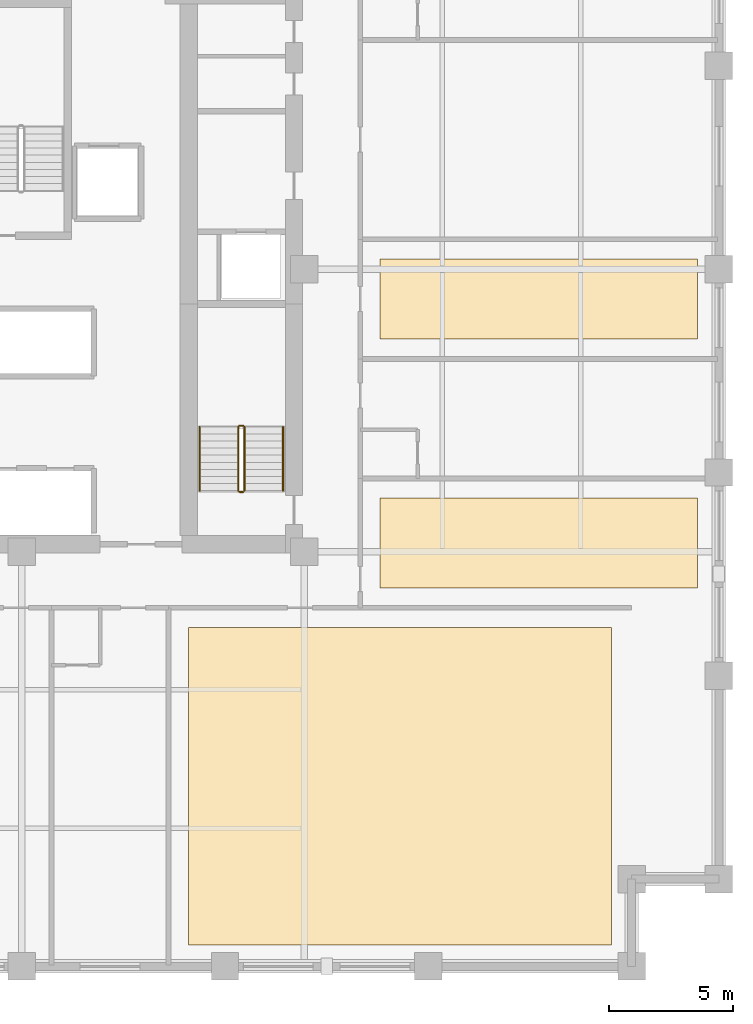
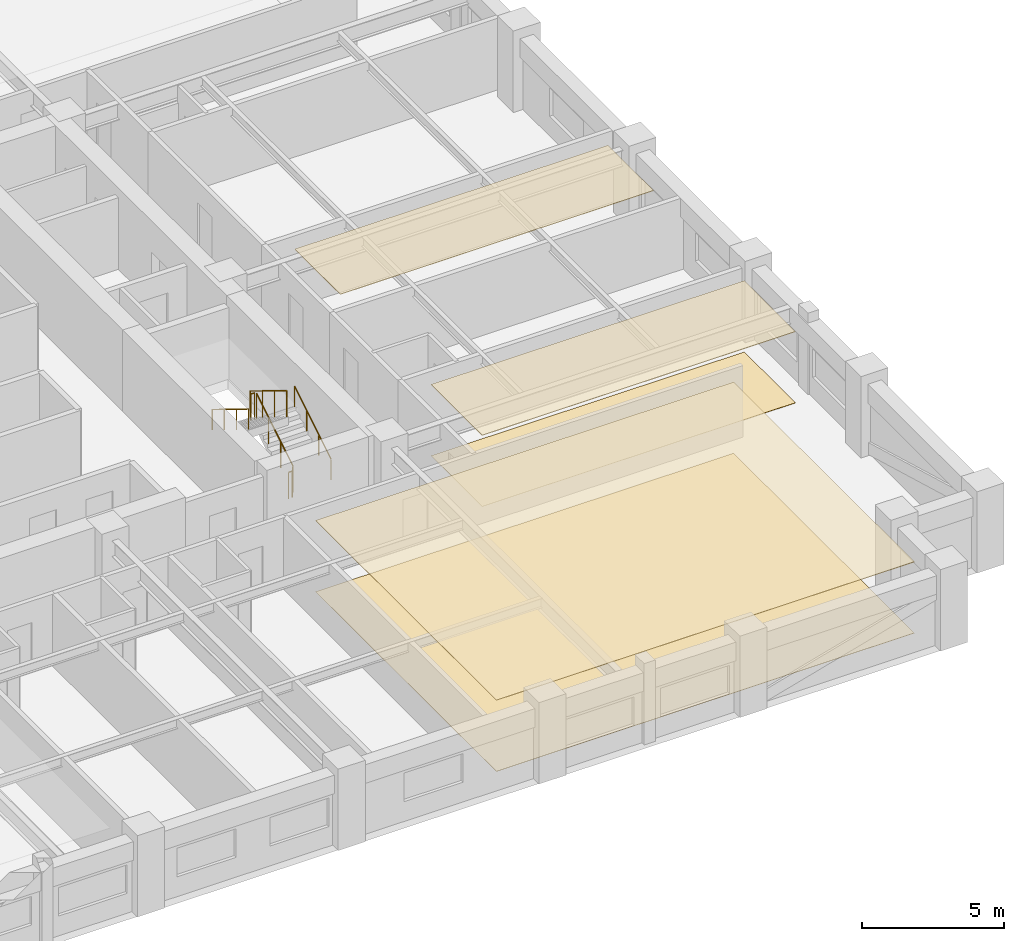
# One storey, part 10 of 12: 6 railings, 5 coverings.
"""IFC4 building model written with IfcOpenShell, lengths in metres."""

from ifc_helpers import new_model, si_unit, direction, frame, origin, origin_2d, place, context, subcontext, project, spatial, polyline, circle, outline, extrude, material, layer, layer_set, type_object, element, save


model = new_model("IFC4")

# Units and contexts
model_context = context("Model", 3, precision=1e-05, world=origin(), true_north=direction((0.0, 1.0)))
body_context = subcontext(model_context, "Body", "Model", "MODEL_VIEW")
ifc_project = project(units=[si_unit("LENGTHUNIT", "METRE"), si_unit("AREAUNIT", "SQUARE_METRE"), si_unit("VOLUMEUNIT", "CUBIC_METRE"), si_unit("PLANEANGLEUNIT", "RADIAN"), si_unit("MASSUNIT", "GRAM", prefix="KILO")], contexts=[model_context])

# Site, building, storey
site_placement = place(None, origin())
site = spatial("IfcSite", under=ifc_project, at=site_placement, CompositionType="ELEMENT")
building_placement = place(site_placement, origin())
building = spatial("IfcBuilding", under=site, at=building_placement, Name="Nhamokura Convention Tower", CompositionType="ELEMENT")
storey_placement = place(building_placement, frame((0.0, 0.0, 38.85009765625)))
storey = spatial("IfcBuildingStorey", under=building, at=storey_placement, Name="L07", CompositionType="ELEMENT", Elevation=38.85009765625)

# Coverings
ifc_material_1 = material(Name="Mineral-fibre acoustic ceiling tile", Category="gypsum")
ifc_layer_1 = layer(ifc_material_1, 0.02490234375)
ifc_layer_set_1 = layer_set([ifc_layer_1], Name="AcousticTileCeiling_25")
covering_type_1 = type_object("IfcCoveringType", Name="AcousticTileCeiling_25", PredefinedType="CEILING", material=ifc_layer_set_1)
covering_1_placement = place(storey_placement, frame((0.0, 0.0, 3.054931640625)))
element("IfcCovering", 1, at=covering_1_placement, inside=storey, type_object=covering_type_1, Name="L07 Suspended Ceiling 02", PredefinedType="CEILING", context=body_context, shape_type="SweptSolid", body=[
    extrude(outline(polyline([(38.699951171875, 4.860107421875), (55.699951171875, 4.860107421875), (55.699951171875, 17.60009765625), (38.699951171875, 17.60009765625), (38.699951171875, 4.860107421875)])), origin(), (0.0, 0.0, 1.0), 0.02490234375),
])
covering_2_placement = place(storey_placement, frame((0.0, 0.0, 3.054931640625)))
element("IfcCovering", 2, at=covering_2_placement, inside=storey, type_object=covering_type_1, Name="L07 Suspended Ceiling 05", PredefinedType="CEILING", context=body_context, shape_type="SweptSolid", body=[
    extrude(outline(polyline([(46.39990234375, 19.199951171875), (59.139892578125, 19.199951171875), (59.139892578125, 22.800048828125), (46.39990234375, 22.800048828125), (46.39990234375, 19.199951171875)])), origin(), (0.0, 0.0, 1.0), 0.02490234375),
])
covering_3_placement = place(storey_placement, frame((0.0, 0.0, 3.054931640625)))
element("IfcCovering", 3, at=covering_3_placement, inside=storey, type_object=covering_type_1, Name="L07 Suspended Ceiling 06", PredefinedType="CEILING", context=body_context, shape_type="SweptSolid", body=[
    extrude(outline(polyline([(46.39990234375, 29.199951171875), (59.139892578125, 29.199951171875), (59.139892578125, 32.39990234375), (46.39990234375, 32.39990234375), (46.39990234375, 29.199951171875)])), origin(), (0.0, 0.0, 1.0), 0.02490234375),
])

# Railings
ifc_material_2 = material(Name="Anodised bronze stainless steel", Category="steel")
railing_type_1 = type_object("IfcRailingType", Name="StairWallHandrail_900", PredefinedType="HANDRAIL", material=ifc_material_2)
railing_1_placement = place(storey_placement, frame((42.5, 23.10009765625, 0.1748046875)))
element("IfcRailing", 4, at=railing_1_placement, inside=storey, type_object=railing_type_1, Name="L07 ST-02 stair handrail 1", PredefinedType="HANDRAIL", context=body_context, shape_type="SweptSolid", body=[
    extrude(circle(Radius=0.02392578125, at=origin_2d()), frame((0.0, 0.0, 0.8759765625), z_axis=(0.0, 0.85213695991, 0.523318833556), x_axis=(-1.0, 0.0, 0.0)), (0.0, 0.0, 1.0), 3.010009765625),
    extrude(circle(Radius=0.02099609375, at=origin_2d()), origin(), (0.0, 0.0, 1.0), 0.851806640625),
    extrude(circle(Radius=0.02099609375, at=origin_2d()), frame((0.0, 0.85498046875, 0.525146484375)), (0.0, 0.0, 1.0), 0.851806640625),
    extrude(circle(Radius=0.02099609375, at=origin_2d()), frame((0.0, 1.7099609375, 1.050048828125)), (0.0, 0.0, 1.0), 0.851806640625),
    extrude(circle(Radius=0.02099609375, at=origin_2d()), frame((0.0, 2.56494140625, 1.5751953125)), (0.0, 0.0, 1.0), 0.851806640625),
])
railing_2_placement = place(storey_placement, frame((39.14990234375, 25.6650390625, 1.9248046875)))
element("IfcRailing", 5, at=railing_2_placement, inside=storey, type_object=railing_type_1, Name="L07 ST-02 stair handrail 2", PredefinedType="HANDRAIL", context=body_context, shape_type="SweptSolid", body=[
    extrude(circle(Radius=0.02392578125, at=origin_2d()), frame((0.0, 0.0, 0.8759765625), z_axis=(0.0, -0.85213695991, 0.523318833556), x_axis=(1.0, 0.0, 0.0)), (0.0, 0.0, 1.0), 3.010009765625),
    extrude(circle(Radius=0.02099609375, at=origin_2d()), origin(), (0.0, 0.0, 1.0), 0.851806640625),
    extrude(circle(Radius=0.02099609375, at=origin_2d()), frame((0.0, -0.85498046875, 0.525146484375)), (0.0, 0.0, 1.0), 0.851806640625),
    extrude(circle(Radius=0.02099609375, at=origin_2d()), frame((0.0, -1.7099609375, 1.050048828125)), (0.0, 0.0, 1.0), 0.851806640625),
    extrude(circle(Radius=0.02099609375, at=origin_2d()), frame((0.0, -2.56494140625, 1.5751953125)), (0.0, 0.0, 1.0), 0.851806640625),
])
ifc_material_3 = material(Name="Painted tubular steel", Category="steel")
railing_type_2 = type_object("IfcRailingType", Name="StairWellGuardrail_1150", PredefinedType="GUARDRAIL", material=ifc_material_3)
railing_3_placement = place(storey_placement, frame((40.949951171875, 23.10009765625, 0.1748046875)))
element("IfcRailing", 6, at=railing_3_placement, inside=storey, type_object=railing_type_2, Name="L07 ST-02 stair guard 1", PredefinedType="GUARDRAIL", context=body_context, shape_type="SweptSolid", body=[
    extrude(circle(Radius=0.02392578125, at=origin_2d()), frame((0.0, 0.0, 1.1259765625), z_axis=(0.0, 0.85213695991, 0.523318833556), x_axis=(-1.0, 0.0, 0.0)), (0.0, 0.0, 1.0), 3.010009765625),
    extrude(circle(Radius=0.02099609375, at=origin_2d()), origin(), (0.0, 0.0, 1.0), 1.101806640625),
    extrude(circle(Radius=0.02099609375, at=origin_2d()), frame((0.0, 0.85498046875, 0.525146484375)), (0.0, 0.0, 1.0), 1.101806640625),
    extrude(circle(Radius=0.02099609375, at=origin_2d()), frame((0.0, 1.7099609375, 1.050048828125)), (0.0, 0.0, 1.0), 1.101806640625),
    extrude(circle(Radius=0.02099609375, at=origin_2d()), frame((0.0, 2.56494140625, 1.5751953125)), (0.0, 0.0, 1.0), 1.101806640625),
])
railing_4_placement = place(storey_placement, frame((40.89990234375, 25.715087890625, 1.75)))
element("IfcRailing", 7, at=railing_4_placement, inside=storey, type_object=railing_type_2, Name="L07 ST-02 stair guard 2", PredefinedType="GUARDRAIL", context=body_context, shape_type="SweptSolid", body=[
    extrude(circle(Radius=0.02392578125, at=origin_2d()), frame((0.0, 0.0, 1.1259765625), z_axis=(-1.0, 0.0, 0.0), x_axis=(0.0, -1.0, 0.0)), (0.0, 0.0, 1.0), 0.14990234375),
    extrude(circle(Radius=0.02099609375, at=origin_2d()), origin(), (0.0, 0.0, 1.0), 1.101806640625),
    extrude(circle(Radius=0.02099609375, at=origin_2d()), frame((-0.14990234375, 0.0, 0.0)), (0.0, 0.0, 1.0), 1.101806640625),
])
railing_5_placement = place(storey_placement, frame((40.699951171875, 25.6650390625, 1.9248046875)))
element("IfcRailing", 8, at=railing_5_placement, inside=storey, type_object=railing_type_2, Name="L07 ST-02 stair guard 3", PredefinedType="GUARDRAIL", context=body_context, shape_type="SweptSolid", body=[
    extrude(circle(Radius=0.02392578125, at=origin_2d()), frame((0.0, 0.0, 1.1259765625), z_axis=(0.0, -0.85213695991, 0.523318833556), x_axis=(1.0, 0.0, 0.0)), (0.0, 0.0, 1.0), 3.010009765625),
    extrude(circle(Radius=0.02099609375, at=origin_2d()), origin(), (0.0, 0.0, 1.0), 1.101806640625),
    extrude(circle(Radius=0.02099609375, at=origin_2d()), frame((0.0, -0.85498046875, 0.525146484375)), (0.0, 0.0, 1.0), 1.101806640625),
    extrude(circle(Radius=0.02099609375, at=origin_2d()), frame((0.0, -1.7099609375, 1.050048828125)), (0.0, 0.0, 1.0), 1.101806640625),
    extrude(circle(Radius=0.02099609375, at=origin_2d()), frame((0.0, -2.56494140625, 1.5751953125)), (0.0, 0.0, 1.0), 1.101806640625),
])
railing_6_placement = place(storey_placement, frame((40.89990234375, 23.050048828125, 0.0)))
element("IfcRailing", 9, at=railing_6_placement, inside=storey, type_object=railing_type_2, Name="L07 ST-02 stair guard 4", PredefinedType="GUARDRAIL", context=body_context, shape_type="SweptSolid", body=[
    extrude(circle(Radius=0.02392578125, at=origin_2d()), frame((0.0, 0.0, 1.1259765625), z_axis=(-1.0, 0.0, 0.0), x_axis=(0.0, -1.0, 0.0)), (0.0, 0.0, 1.0), 0.14990234375),
    extrude(circle(Radius=0.02099609375, at=origin_2d()), origin(), (0.0, 0.0, 1.0), 1.101806640625),
    extrude(circle(Radius=0.02099609375, at=origin_2d()), frame((-0.14990234375, 0.0, 0.0)), (0.0, 0.0, 1.0), 1.101806640625),
])

# Coverings
ifc_material_4 = material(Name="Acoustic woven hospitality carpet", Category="wood")
ifc_layer_2 = layer(ifc_material_4, 0.014892578125)
ifc_layer_set_2 = layer_set([ifc_layer_2], Name="WovenCarpetFlooring_15")
covering_type_2 = type_object("IfcCoveringType", Name="WovenCarpetFlooring_15", PredefinedType="FLOORING", material=ifc_layer_set_2)
covering_4_placement = place(storey_placement, origin())
element("IfcCovering", 10, at=covering_4_placement, inside=storey, type_object=covering_type_2, Name="L07 Finish Flooring 02", PredefinedType="FLOORING", context=body_context, shape_type="SweptSolid", body=[
    extrude(outline(polyline([(38.699951171875, 4.860107421875), (55.699951171875, 4.860107421875), (55.699951171875, 17.60009765625), (38.699951171875, 17.60009765625), (38.699951171875, 4.860107421875)])), origin(), (0.0, 0.0, 1.0), 0.014892578125),
])
covering_5_placement = place(storey_placement, origin())
element("IfcCovering", 11, at=covering_5_placement, inside=storey, type_object=covering_type_2, Name="L07 Finish Flooring 05", PredefinedType="FLOORING", context=body_context, shape_type="SweptSolid", body=[
    extrude(outline(polyline([(46.39990234375, 19.199951171875), (59.139892578125, 19.199951171875), (59.139892578125, 22.800048828125), (46.39990234375, 22.800048828125), (46.39990234375, 19.199951171875)])), origin(), (0.0, 0.0, 1.0), 0.014892578125),
])

save(model, "model.ifc")
